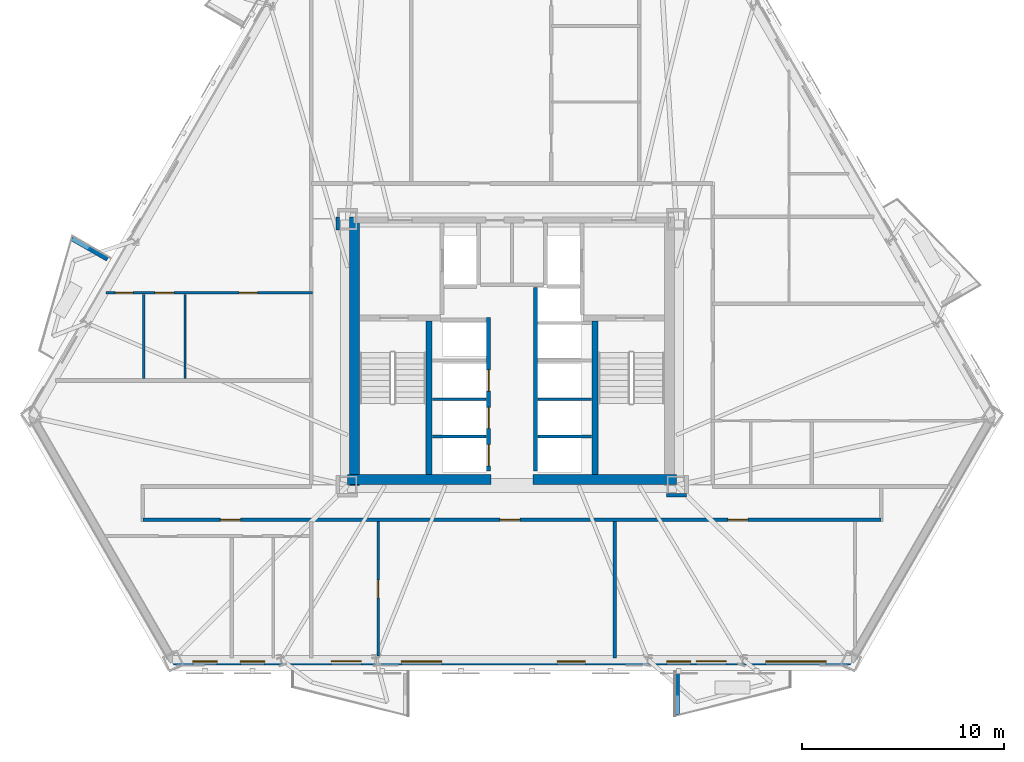
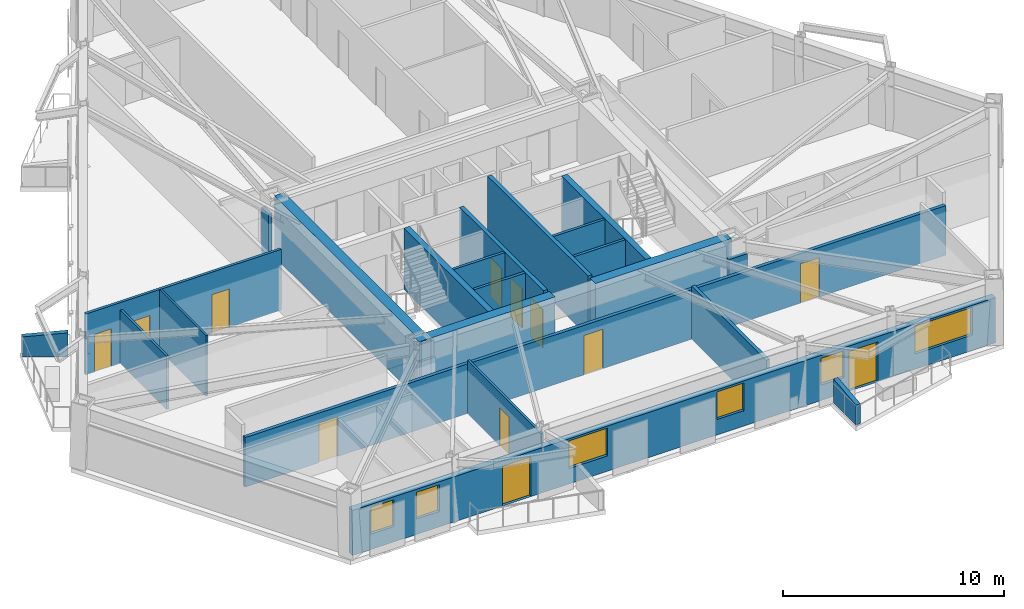
# One storey, part 3 of 10: 22 walls, 12 doors, 6 windows, 18 openings.
"""IFC4 building model written with IfcOpenShell, lengths in metres."""

from ifc_helpers import new_model, si_unit, direction, frame, frame_2d, origin, place, context, subcontext, project, spatial, polyline, rectangle, outline, extrude, material, layer, layer_set, type_object, element, fill, save


model = new_model("IFC4")

# Units and contexts
model_context = context("Model", 3, precision=1e-05, world=origin(), true_north=direction((0.0, 1.0)))
body_context = subcontext(model_context, "Body", "Model", "MODEL_VIEW")
ifc_project = project(units=[si_unit("LENGTHUNIT", "METRE"), si_unit("AREAUNIT", "SQUARE_METRE"), si_unit("VOLUMEUNIT", "CUBIC_METRE"), si_unit("PLANEANGLEUNIT", "RADIAN"), si_unit("MASSUNIT", "GRAM", prefix="KILO")], contexts=[model_context])

# Site, building, storey
site_placement = place(None, origin())
site = spatial("IfcSite", under=ifc_project, at=site_placement, CompositionType="ELEMENT")
building_placement = place(site_placement, origin())
building = spatial("IfcBuilding", under=site, at=building_placement, Name="Oramaril Tower", CompositionType="ELEMENT")
storey_placement = place(building_placement, frame((0.0, 0.0, 59.699951171875)))
storey = spatial("IfcBuildingStorey", under=building, at=storey_placement, Name="L15", CompositionType="ELEMENT", Elevation=59.699951171875)

# Wall, openings, doors, windows
ifc_material_1 = material(Name="Warm Cream Limestone", Category="masonry")
ifc_layer_1 = layer(ifc_material_1, 0.340087890625)
ifc_layer_set_1 = layer_set([ifc_layer_1], Name="WT-EXT34")
wall_type_1 = type_object("IfcWallType", Name="WT-EXT34", PredefinedType="SOLIDWALL", material=ifc_layer_set_1)
wall_1_placement = place(storey_placement, frame((20.70751953125, 2.273681640625, 0.0), z_axis=(0.0, 0.0, 1.0), x_axis=(1.0, 0.0, 0.0)))
wall_1 = element("IfcWall", 1, at=wall_1_placement, inside=storey, type_object=wall_type_1, Name="L15 Tower Limestone Facade Wall 2M", PredefinedType="SOLIDWALL", context=body_context, shape_type="SweptSolid", body=[
    extrude(rectangle(XDim=33.5849609375, YDim=0.340087890625, at=frame_2d((16.79248046875, 0.0))), origin(), (0.0, 0.0, 1.0), 2.494140625),
])
opening_1_placement = place(wall_1_placement, frame((7.824462890625, 0.0, 0.0)))
opening_1 = element("IfcOpeningElement", 2, at=opening_1_placement, cuts=wall_1, Name="Opening D-L15-BAL-S1", PredefinedType="OPENING", context=body_context, shape_type="SweptSolid", body=[
    extrude(rectangle(XDim=1.5, YDim=2.199951171875, at=frame_2d((0.75, 1.10009765625))), frame((0.0, 0.169921875, 0.0), z_axis=(0.0, -1.0, 0.0), x_axis=(1.0, 0.0, 0.0)), (0.0, 0.0, 1.0), 0.340087890625),
])
opening_2_placement = place(wall_1_placement, frame((25.92529296875, 0.0, 0.0)))
opening_2 = element("IfcOpeningElement", 3, at=opening_2_placement, cuts=wall_1, Name="Opening D-L15-BAL-S2", PredefinedType="OPENING", context=body_context, shape_type="SweptSolid", body=[
    extrude(rectangle(XDim=1.5, YDim=2.199951171875, at=frame_2d((0.75, 1.10009765625))), frame((0.0, 0.169921875, 0.0), z_axis=(0.0, -1.0, 0.0), x_axis=(1.0, 0.0, 0.0)), (0.0, 0.0, 1.0), 0.340087890625),
])
opening_3_placement = place(wall_1_placement, frame((11.31201171875, 0.0, 0.85009765625)))
opening_3 = element("IfcOpeningElement", 4, at=opening_3_placement, cuts=wall_1, Name="Opening WN-05", PredefinedType="OPENING", context=body_context, shape_type="SweptSolid", body=[
    extrude(rectangle(XDim=2.0, YDim=1.533935546875, at=frame_2d((1.0, 0.76708984375))), frame((0.0, 0.169921875, 0.0), z_axis=(0.0, -1.0, 0.0), x_axis=(1.0, 0.0, 0.0)), (0.0, 0.0, 1.0), 0.340087890625),
])
opening_4_placement = place(wall_1_placement, frame((19.03369140625, 0.0, 0.85009765625)))
opening_4 = element("IfcOpeningElement", 5, at=opening_4_placement, cuts=wall_1, Name="Opening WN-08", PredefinedType="OPENING", context=body_context, shape_type="SweptSolid", body=[
    extrude(rectangle(XDim=1.39990234375, YDim=1.533935546875, at=frame_2d((0.699951171875, 0.76708984375))), frame((0.0, 0.169921875, 0.0), z_axis=(0.0, -1.0, 0.0), x_axis=(1.0, 0.0, 0.0)), (0.0, 0.0, 1.0), 0.340087890625),
])
opening_5_placement = place(wall_1_placement, frame((24.4580078125, 0.0, 0.85009765625)))
opening_5 = element("IfcOpeningElement", 6, at=opening_5_placement, cuts=wall_1, Name="Opening WN-09", PredefinedType="OPENING", context=body_context, shape_type="SweptSolid", body=[
    extrude(rectangle(XDim=1.199951171875, YDim=1.47998046875, at=frame_2d((0.60009765625, 0.739990234375))), frame((0.0, 0.169921875, 0.0), z_axis=(0.0, -1.0, 0.0), x_axis=(1.0, 0.0, 0.0)), (0.0, 0.0, 1.0), 0.340087890625),
])
opening_6_placement = place(wall_1_placement, frame((29.360595703125, 0.0, 0.85009765625)))
opening_6 = element("IfcOpeningElement", 7, at=opening_6_placement, cuts=wall_1, Name="Opening WN-10", PredefinedType="OPENING", context=body_context, shape_type="SweptSolid", body=[
    extrude(rectangle(XDim=3.0, YDim=1.533935546875, at=frame_2d((1.5, 0.76708984375))), frame((0.0, 0.169921875, 0.0), z_axis=(0.0, -1.0, 0.0), x_axis=(1.0, 0.0, 0.0)), (0.0, 0.0, 1.0), 0.340087890625),
])
opening_7_placement = place(wall_1_placement, frame((0.970947265625, 0.0, 0.85009765625)))
opening_7 = element("IfcOpeningElement", 8, at=opening_7_placement, cuts=wall_1, Name="Opening WN-09", PredefinedType="OPENING", context=body_context, shape_type="SweptSolid", body=[
    extrude(rectangle(XDim=1.199951171875, YDim=1.47998046875, at=frame_2d((0.60009765625, 0.739990234375))), frame((0.0, 0.169921875, 0.0), z_axis=(0.0, -1.0, 0.0), x_axis=(1.0, 0.0, 0.0)), (0.0, 0.0, 1.0), 0.340087890625),
])
opening_8_placement = place(wall_1_placement, frame((3.327392578125, 0.0, 0.85009765625)))
opening_8 = element("IfcOpeningElement", 9, at=opening_8_placement, cuts=wall_1, Name="Opening WN-09", PredefinedType="OPENING", context=body_context, shape_type="SweptSolid", body=[
    extrude(rectangle(XDim=1.199951171875, YDim=1.47998046875, at=frame_2d((0.60009765625, 0.739990234375))), frame((0.0, 0.169921875, 0.0), z_axis=(0.0, -1.0, 0.0), x_axis=(1.0, 0.0, 0.0)), (0.0, 0.0, 1.0), 0.340087890625),
])
ifc_material_2 = material(Name="Anodised Aluminium 6063-T6", Category="aluminium")
door_type_1 = type_object("IfcDoorType", Name="DT-BAL", OperationType="NOTDEFINED", PredefinedType="DOOR", material=ifc_material_2)
door_1_placement = place(opening_1_placement, origin())
door_1 = element("IfcDoor", 10, at=door_1_placement, inside=storey, type_object=door_type_1, Name="L15 Balcony Glazed Door L15-BAL-S1", OperationType="SINGLE_SWING_RIGHT", OverallHeight=2.199951171875, OverallWidth=1.5, PredefinedType="DOOR", context=body_context, shape_type="SweptSolid", body=[
    extrude(rectangle(XDim=1.5, YDim=2.199951171875, at=frame_2d((0.75, 1.10009765625))), frame((0.0, 0.02490234375, 0.0), z_axis=(0.0, -1.0, 0.0), x_axis=(1.0, 0.0, 0.0)), (0.0, 0.0, 1.0), 0.050048828125),
])
fill(opening_1, door_1)
door_2_placement = place(opening_2_placement, origin())
door_2 = element("IfcDoor", 11, at=door_2_placement, inside=storey, type_object=door_type_1, Name="L15 Balcony Glazed Door L15-BAL-S2", OperationType="SINGLE_SWING_LEFT", OverallHeight=2.199951171875, OverallWidth=1.5, PredefinedType="DOOR", context=body_context, shape_type="SweptSolid", body=[
    extrude(rectangle(XDim=1.5, YDim=2.199951171875, at=frame_2d((0.75, 1.10009765625))), frame((0.0, 0.02490234375, 0.0), z_axis=(0.0, -1.0, 0.0), x_axis=(1.0, 0.0, 0.0)), (0.0, 0.0, 1.0), 0.050048828125),
])
fill(opening_2, door_2)
ifc_material_3 = material(Name="Coastal Low-E Insulated Glass", Category="glass")
window_type_1 = type_object("IfcWindowType", Name="WNT-05", PartitioningType="SINGLE_PANEL", PredefinedType="WINDOW", material=ifc_material_3)
window_1_placement = place(opening_3_placement, origin())
window_1 = element("IfcWindow", 12, at=window_1_placement, inside=storey, type_object=window_type_1, Name="L15 Chicago Bay Window WN-05", OverallHeight=1.533935546875, OverallWidth=2.0, PartitioningType="SINGLE_PANEL", PredefinedType="WINDOW", context=body_context, shape_type="SweptSolid", body=[
    extrude(rectangle(XDim=2.0, YDim=1.533935546875, at=frame_2d((1.0, 0.76708984375))), frame((0.0, 0.030029296875, 0.0), z_axis=(0.0, -1.0, 0.0), x_axis=(1.0, 0.0, 0.0)), (0.0, 0.0, 1.0), 0.06005859375),
])
fill(opening_3, window_1)
ifc_material_4 = material(Name="Coastal Low-E Insulated Glass", Category="glass")
window_type_2 = type_object("IfcWindowType", Name="WNT-08", PartitioningType="SINGLE_PANEL", PredefinedType="WINDOW", material=ifc_material_4)
window_2_placement = place(opening_4_placement, origin())
window_2 = element("IfcWindow", 13, at=window_2_placement, inside=storey, type_object=window_type_2, Name="L15 Chicago Bay Window WN-08", OverallHeight=1.533935546875, OverallWidth=1.39990234375, PartitioningType="SINGLE_PANEL", PredefinedType="WINDOW", context=body_context, shape_type="SweptSolid", body=[
    extrude(rectangle(XDim=1.39990234375, YDim=1.533935546875, at=frame_2d((0.699951171875, 0.76708984375))), frame((0.0, 0.030029296875, 0.0), z_axis=(0.0, -1.0, 0.0), x_axis=(1.0, 0.0, 0.0)), (0.0, 0.0, 1.0), 0.06005859375),
])
fill(opening_4, window_2)
ifc_material_5 = material(Name="Coastal Low-E Insulated Glass", Category="glass")
window_type_3 = type_object("IfcWindowType", Name="WNT-09", PartitioningType="SINGLE_PANEL", PredefinedType="WINDOW", material=ifc_material_5)
window_3_placement = place(opening_5_placement, origin())
window_3 = element("IfcWindow", 14, at=window_3_placement, inside=storey, type_object=window_type_3, Name="L15 Chicago Bay Window WN-09", OverallHeight=1.47998046875, OverallWidth=1.199951171875, PartitioningType="SINGLE_PANEL", PredefinedType="WINDOW", context=body_context, shape_type="SweptSolid", body=[
    extrude(rectangle(XDim=1.199951171875, YDim=1.47998046875, at=frame_2d((0.60009765625, 0.739990234375))), frame((0.0, 0.030029296875, 0.0), z_axis=(0.0, -1.0, 0.0), x_axis=(1.0, 0.0, 0.0)), (0.0, 0.0, 1.0), 0.06005859375),
])
fill(opening_5, window_3)
window_4_placement = place(opening_7_placement, origin())
window_4 = element("IfcWindow", 15, at=window_4_placement, inside=storey, type_object=window_type_3, Name="L15 Chicago Bay Window WN-09", OverallHeight=1.47998046875, OverallWidth=1.199951171875, PartitioningType="SINGLE_PANEL", PredefinedType="WINDOW", context=body_context, shape_type="SweptSolid", body=[
    extrude(rectangle(XDim=1.199951171875, YDim=1.47998046875, at=frame_2d((0.60009765625, 0.739990234375))), frame((0.0, 0.030029296875, 0.0), z_axis=(0.0, -1.0, 0.0), x_axis=(1.0, 0.0, 0.0)), (0.0, 0.0, 1.0), 0.06005859375),
])
fill(opening_7, window_4)
window_5_placement = place(opening_8_placement, origin())
window_5 = element("IfcWindow", 16, at=window_5_placement, inside=storey, type_object=window_type_3, Name="L15 Chicago Bay Window WN-09", OverallHeight=1.47998046875, OverallWidth=1.199951171875, PartitioningType="SINGLE_PANEL", PredefinedType="WINDOW", context=body_context, shape_type="SweptSolid", body=[
    extrude(rectangle(XDim=1.199951171875, YDim=1.47998046875, at=frame_2d((0.60009765625, 0.739990234375))), frame((0.0, 0.030029296875, 0.0), z_axis=(0.0, -1.0, 0.0), x_axis=(1.0, 0.0, 0.0)), (0.0, 0.0, 1.0), 0.06005859375),
])
fill(opening_8, window_5)
ifc_material_6 = material(Name="Coastal Low-E Insulated Glass", Category="glass")
window_type_4 = type_object("IfcWindowType", Name="WNT-10", PartitioningType="SINGLE_PANEL", PredefinedType="WINDOW", material=ifc_material_6)
window_6_placement = place(opening_6_placement, origin())
window_6 = element("IfcWindow", 17, at=window_6_placement, inside=storey, type_object=window_type_4, Name="L15 Chicago Bay Window WN-10", OverallHeight=1.533935546875, OverallWidth=3.0, PartitioningType="SINGLE_PANEL", PredefinedType="WINDOW", context=body_context, shape_type="SweptSolid", body=[
    extrude(rectangle(XDim=3.0, YDim=1.533935546875, at=frame_2d((1.5, 0.76708984375))), frame((0.0, 0.030029296875, 0.0), z_axis=(0.0, -1.0, 0.0), x_axis=(1.0, 0.0, 0.0)), (0.0, 0.0, 1.0), 0.06005859375),
])
fill(opening_6, window_6)

# Walls
ifc_material_7 = material(Name="Concrete C40/50", Category="concrete")
ifc_layer_2 = layer(ifc_material_7, 0.22998046875)
ifc_layer_set_2 = layer_set([ifc_layer_2], Name="WT-PRP23")
wall_type_2 = type_object("IfcWallType", Name="WT-PRP23", PredefinedType="PARAPET", material=ifc_layer_set_2)
for number, where, z_axis, x_axis, name in (
    (18, (45.68798828125, 1.67578125, 0.0), (0.0, 0.0, 1.0), (0.0, -1.0, 0.0), "L15 Trapezoidal Balcony Frame Cheek L15-BAL-S2-L"),
    (19, (17.4501953125, 22.220947265625, 0.0), (0.0, 0.0, 1.0), (-0.866042246008, 0.499970827278, 0.0), "L15 Trapezoidal Balcony Frame Cheek L15-BAL-NW2-L"),
):
    element("IfcWall", number, at=place(storey_placement, frame(where, z_axis=z_axis, x_axis=x_axis)), inside=storey, type_object=wall_type_2, Name=name, PredefinedType="PARAPET", context=body_context, shape_type="SweptSolid", body=[
        extrude(outline(polyline([(0.0, 0.0), (2.0419921875, 0.0), (2.0419921875, 1.10009765625), (0.0, 1.320068359375), (0.0, 0.0)])), frame((0.0, 0.114990234375, 0.0), z_axis=(0.0, -1.0, 0.0), x_axis=(1.0, 0.0, 0.0)), (0.0, 0.0, 1.0), 0.22998046875),
    ])
ifc_material_8 = material(Name="Acoustic Gypsum Board Partition")
ifc_layer_3 = layer(ifc_material_8, 0.10009765625)
ifc_layer_set_3 = layer_set([ifc_layer_3], Name="WT-PT10")
wall_type_3 = type_object("IfcWallType", Name="WT-PT10", PredefinedType="PARTITIONING", material=ifc_layer_set_3)
wall_2_placement = place(storey_placement, frame((21.2900390625, 16.2939453125, 0.0), z_axis=(0.0, 0.0, 1.0), x_axis=(0.0, 1.0, 0.0)))
element("IfcWall", 20, at=wall_2_placement, inside=storey, type_object=wall_type_3, Name="L15 Interior Partition PT-10", PredefinedType="PARTITIONING", context=body_context, shape_type="SweptSolid", body=[
    extrude(rectangle(XDim=4.18212890625, YDim=0.10009765625, at=frame_2d((2.091064453125, 0.0))), origin(), (0.0, 0.0, 1.0), 3.360107421875),
])
ifc_material_9 = material(Name="Acoustic Gypsum Board Partition")
ifc_layer_4 = layer(ifc_material_9, 0.1201171875)
ifc_layer_set_4 = layer_set([ifc_layer_4], Name="WT-PT12")
wall_type_4 = type_object("IfcWallType", Name="WT-PT12", PredefinedType="PARTITIONING", material=ifc_layer_set_4)
wall_3_placement = place(storey_placement, frame((19.239990234375, 16.2939453125, 0.0), z_axis=(0.0, 0.0, 1.0), x_axis=(0.0, 1.0, 0.0)))
element("IfcWall", 21, at=wall_3_placement, inside=storey, type_object=wall_type_4, Name="L15 Interior Partition PT-12", PredefinedType="PARTITIONING", context=body_context, shape_type="SweptSolid", body=[
    extrude(rectangle(XDim=4.18212890625, YDim=0.1201171875, at=frame_2d((2.091064453125, 0.0))), origin(), (0.0, 0.0, 1.0), 2.946044921875),
])

# Wall, opening, door
wall_4_placement = place(storey_placement, frame((30.860107421875, 2.54248046875, 0.0), z_axis=(0.0, 0.0, 1.0), x_axis=(0.0, 1.0, 0.0)))
wall_4 = element("IfcWall", 22, at=wall_4_placement, inside=storey, type_object=wall_type_4, Name="L15 Interior Partition PT-12", PredefinedType="PARTITIONING", context=body_context, shape_type="SweptSolid", body=[
    extrude(rectangle(XDim=6.66357421875, YDim=0.1201171875, at=frame_2d((3.331787109375, 0.0))), origin(), (0.0, 0.0, 1.0), 2.946044921875),
])
opening_9_placement = place(wall_4_placement, frame((2.87939453125, 0.0, 0.0)))
opening_9 = element("IfcOpeningElement", 23, at=opening_9_placement, cuts=wall_4, Name="Opening D-L15-18", PredefinedType="OPENING", context=body_context, shape_type="SweptSolid", body=[
    extrude(rectangle(XDim=0.8798828125, YDim=2.080078125, at=frame_2d((0.43994140625, 1.0400390625))), frame((0.0, 0.06005859375, 0.0), z_axis=(0.0, -1.0, 0.0), x_axis=(1.0, 0.0, 0.0)), (0.0, 0.0, 1.0), 0.1201171875),
])
ifc_material_10 = material(Name="FSC Brazilian Freijo Hardwood", Category="wood")
door_type_2 = type_object("IfcDoorType", Name="DT-BATH", OperationType="NOTDEFINED", PredefinedType="DOOR", material=ifc_material_10)
door_3_placement = place(opening_9_placement, origin())
door_3 = element("IfcDoor", 24, at=door_3_placement, inside=storey, type_object=door_type_2, Name="L15 Flat L15-U1 Bathroom Door D-L15-18", OperationType="SINGLE_SWING_LEFT", OverallHeight=2.080078125, OverallWidth=0.8798828125, PredefinedType="DOOR", context=body_context, shape_type="SweptSolid", body=[
    extrude(rectangle(XDim=0.8798828125, YDim=2.080078125, at=frame_2d((0.43994140625, 1.0400390625))), frame((0.0, 0.02490234375, 0.0), z_axis=(0.0, -1.0, 0.0), x_axis=(1.0, 0.0, 0.0)), (0.0, 0.0, 1.0), 0.050048828125),
])
fill(opening_9, door_3)

# Walls
ifc_material_11 = material(Name="Acoustic Gypsum Board Partition")
ifc_layer_5 = layer(ifc_material_11, 0.139892578125)
ifc_layer_set_5 = layer_set([ifc_layer_5], Name="WT-PT14")
wall_type_5 = type_object("IfcWallType", Name="WT-PT14", PredefinedType="PARTITIONING", material=ifc_layer_set_5)
for number, where, z_axis, x_axis, name in (
    (25, (33.56005859375, 13.419921875, 0.0), (0.0, 0.0, 1.0), (1.0, 0.0, 0.0), "L15 West Lift Divider"),
    (26, (33.56005859375, 15.27001953125, 0.0), (0.0, 0.0, 1.0), (1.0, 0.0, 0.0), "L15 West Lift Divider"),
    (27, (38.780029296875, 13.419921875, 0.0), (0.0, 0.0, 1.0), (1.0, 0.0, 0.0), "L15 East Lift Divider"),
    (28, (38.780029296875, 15.27001953125, 0.0), (0.0, 0.0, 1.0), (1.0, 0.0, 0.0), "L15 East Lift Divider"),
):
    element("IfcWall", number, at=place(storey_placement, frame(where, z_axis=z_axis, x_axis=x_axis)), inside=storey, type_object=wall_type_5, Name=name, PredefinedType="PARTITIONING", context=body_context, shape_type="SweptSolid", body=[
        extrude(rectangle(XDim=2.659912109375, YDim=0.139892578125, at=frame_2d((1.330078125, 0.0))), origin(), (0.0, 0.0, 1.0), 3.360107421875),
    ])

# Wall, openings, doors
wall_5_placement = place(storey_placement, frame((17.376708984375, 20.550048828125, 0.0), z_axis=(0.0, 0.0, 1.0), x_axis=(1.0, 0.0, 0.0)))
wall_5 = element("IfcWall", 29, at=wall_5_placement, inside=storey, type_object=wall_type_5, Name="L15 Interior Partition PT-14", PredefinedType="PARTITIONING", context=body_context, shape_type="SweptSolid", body=[
    extrude(rectangle(XDim=10.223388671875, YDim=0.139892578125, at=frame_2d((5.11181640625, 0.0))), origin(), (0.0, 0.0, 1.0), 3.360107421875),
])
opening_10_placement = place(wall_5_placement, frame((0.46240234375, 0.0, 0.0)))
opening_10 = element("IfcOpeningElement", 30, at=opening_10_placement, cuts=wall_5, Name="Opening D-L15-10", PredefinedType="OPENING", context=body_context, shape_type="SweptSolid", body=[
    extrude(rectangle(XDim=0.8798828125, YDim=2.080078125, at=frame_2d((0.43994140625, 1.0400390625))), frame((0.0, 0.06982421875, 0.0), z_axis=(0.0, -1.0, 0.0), x_axis=(1.0, 0.0, 0.0)), (0.0, 0.0, 1.0), 0.139892578125),
])
opening_11_placement = place(wall_5_placement, frame((2.412353515625, 0.0, 0.0)))
opening_11 = element("IfcOpeningElement", 31, at=opening_11_placement, cuts=wall_5, Name="Opening D-L15-11", PredefinedType="OPENING", context=body_context, shape_type="SweptSolid", body=[
    extrude(rectangle(XDim=0.949951171875, YDim=2.10009765625, at=frame_2d((0.47509765625, 1.050048828125))), frame((0.0, 0.06982421875, 0.0), z_axis=(0.0, -1.0, 0.0), x_axis=(1.0, 0.0, 0.0)), (0.0, 0.0, 1.0), 0.139892578125),
])
opening_12_placement = place(wall_5_placement, frame((6.597900390625, 0.0, 0.0)))
opening_12 = element("IfcOpeningElement", 32, at=opening_12_placement, cuts=wall_5, Name="Opening D-L15-12", PredefinedType="OPENING", context=body_context, shape_type="SweptSolid", body=[
    extrude(rectangle(XDim=0.919921875, YDim=2.1201171875, at=frame_2d((0.4599609375, 1.06005859375))), frame((0.0, 0.06982421875, 0.0), z_axis=(0.0, -1.0, 0.0), x_axis=(1.0, 0.0, 0.0)), (0.0, 0.0, 1.0), 0.139892578125),
])
door_4_placement = place(opening_10_placement, origin())
door_4 = element("IfcDoor", 33, at=door_4_placement, inside=storey, type_object=door_type_2, Name="L15 Flat L15-U4 Bathroom Door D-L15-10", OperationType="SINGLE_SWING_LEFT", OverallHeight=2.080078125, OverallWidth=0.8798828125, PredefinedType="DOOR", context=body_context, shape_type="SweptSolid", body=[
    extrude(rectangle(XDim=0.8798828125, YDim=2.080078125, at=frame_2d((0.43994140625, 1.0400390625))), frame((0.0, 0.02490234375, 0.0), z_axis=(0.0, -1.0, 0.0), x_axis=(1.0, 0.0, 0.0)), (0.0, 0.0, 1.0), 0.050048828125),
])
fill(opening_10, door_4)
ifc_material_12 = material(Name="FSC Brazilian Freijo Hardwood", Category="wood")
door_type_3 = type_object("IfcDoorType", Name="DT-BED", OperationType="NOTDEFINED", PredefinedType="DOOR", material=ifc_material_12)
door_5_placement = place(opening_12_placement, origin())
door_5 = element("IfcDoor", 34, at=door_5_placement, inside=storey, type_object=door_type_3, Name="L15 Flat L15-U4 Master Bedroom Door D-L15-12", OperationType="SINGLE_SWING_LEFT", OverallHeight=2.1201171875, OverallWidth=0.919921875, PredefinedType="DOOR", context=body_context, shape_type="SweptSolid", body=[
    extrude(rectangle(XDim=0.919921875, YDim=2.1201171875, at=frame_2d((0.4599609375, 1.06005859375))), frame((0.0, 0.02490234375, 0.0), z_axis=(0.0, -1.0, 0.0), x_axis=(1.0, 0.0, 0.0)), (0.0, 0.0, 1.0), 0.050048828125),
])
fill(opening_12, door_5)
ifc_material_13 = material(Name="FSC Brazilian Freijo Hardwood", Category="wood")
door_type_4 = type_object("IfcDoorType", Name="DT-STDY", OperationType="NOTDEFINED", PredefinedType="DOOR", material=ifc_material_13)
door_6_placement = place(opening_11_placement, origin())
door_6 = element("IfcDoor", 35, at=door_6_placement, inside=storey, type_object=door_type_4, Name="L15 Flat L15-U4 Kitchen Door D-L15-11", OperationType="SINGLE_SWING_RIGHT", OverallHeight=2.10009765625, OverallWidth=0.949951171875, PredefinedType="DOOR", context=body_context, shape_type="SweptSolid", body=[
    extrude(rectangle(XDim=0.949951171875, YDim=2.10009765625, at=frame_2d((0.47509765625, 1.050048828125))), frame((0.0, 0.02490234375, 0.0), z_axis=(0.0, -1.0, 0.0), x_axis=(1.0, 0.0, 0.0)), (0.0, 0.0, 1.0), 0.050048828125),
])
fill(opening_11, door_6)

ifc_material_14 = material(Name="Autoclaved Cellular Concrete Block", Category="concrete")
ifc_layer_6 = layer(ifc_material_14, 0.179931640625)
ifc_layer_set_6 = layer_set([ifc_layer_6], Name="WT-PT18")
wall_type_6 = type_object("IfcWallType", Name="WT-PT18", PredefinedType="PARTITIONING", material=ifc_layer_set_6)
wall_6_placement = place(storey_placement, frame((19.199951171875, 9.300048828125, 0.0), z_axis=(0.0, 0.0, 1.0), x_axis=(1.0, 0.0, 0.0)))
wall_6 = element("IfcWall", 36, at=wall_6_placement, inside=storey, type_object=wall_type_6, Name="L15 Interior Partition PT-18", PredefinedType="PARTITIONING", context=body_context, shape_type="SweptSolid", body=[
    extrude(rectangle(XDim=36.60009765625, YDim=0.179931640625, at=frame_2d((18.300048828125, 0.0))), origin(), (0.0, 0.0, 1.0), 2.738037109375),
])
opening_13_placement = place(wall_6_placement, frame((3.84423828125, 0.0, 0.0)))
opening_13 = element("IfcOpeningElement", 37, at=opening_13_placement, cuts=wall_6, Name="Opening D-L15-04", PredefinedType="OPENING", context=body_context, shape_type="SweptSolid", body=[
    extrude(rectangle(XDim=1.0, YDim=2.179931640625, at=frame_2d((0.5, 1.08984375))), frame((0.0, 0.08984375, 0.0), z_axis=(0.0, -1.0, 0.0), x_axis=(1.0, 0.0, 0.0)), (0.0, 0.0, 1.0), 0.179931640625),
])
opening_14_placement = place(wall_6_placement, frame((17.69873046875, 0.0, 0.0)))
opening_14 = element("IfcOpeningElement", 38, at=opening_14_placement, cuts=wall_6, Name="Opening D-L15-05", PredefinedType="OPENING", context=body_context, shape_type="SweptSolid", body=[
    extrude(rectangle(XDim=1.0, YDim=2.179931640625, at=frame_2d((0.5, 1.08984375))), frame((0.0, 0.08984375, 0.0), z_axis=(0.0, -1.0, 0.0), x_axis=(1.0, 0.0, 0.0)), (0.0, 0.0, 1.0), 0.179931640625),
])
opening_15_placement = place(wall_6_placement, frame((28.998779296875, 0.0, 0.0)))
opening_15 = element("IfcOpeningElement", 39, at=opening_15_placement, cuts=wall_6, Name="Opening D-L15-06", PredefinedType="OPENING", context=body_context, shape_type="SweptSolid", body=[
    extrude(rectangle(XDim=1.0, YDim=2.179931640625, at=frame_2d((0.5, 1.08984375))), frame((0.0, 0.08984375, 0.0), z_axis=(0.0, -1.0, 0.0), x_axis=(1.0, 0.0, 0.0)), (0.0, 0.0, 1.0), 0.179931640625),
])
ifc_material_15 = material(Name="FSC Brazilian Freijo Hardwood", Category="wood")
door_type_5 = type_object("IfcDoorType", Name="DT-APT", OperationType="NOTDEFINED", PredefinedType="DOOR", material=ifc_material_15)
door_7_placement = place(opening_13_placement, origin())
door_7 = element("IfcDoor", 40, at=door_7_placement, inside=storey, type_object=door_type_5, Name="L15 Flat L15-U3 Penthouse Living and Dining Room Door D-L15-04", OperationType="SINGLE_SWING_LEFT", OverallHeight=2.179931640625, OverallWidth=1.0, PredefinedType="DOOR", context=body_context, shape_type="SweptSolid", body=[
    extrude(rectangle(XDim=1.0, YDim=2.179931640625, at=frame_2d((0.5, 1.08984375))), frame((0.0, 0.02490234375, 0.0), z_axis=(0.0, -1.0, 0.0), x_axis=(1.0, 0.0, 0.0)), (0.0, 0.0, 1.0), 0.050048828125),
])
fill(opening_13, door_7)
door_8_placement = place(opening_14_placement, origin())
door_8 = element("IfcDoor", 41, at=door_8_placement, inside=storey, type_object=door_type_5, Name="L15 Flat L15-U1 Kitchen and Studio Apartment Door D-L15-05", OperationType="SINGLE_SWING_RIGHT", OverallHeight=2.179931640625, OverallWidth=1.0, PredefinedType="DOOR", context=body_context, shape_type="SweptSolid", body=[
    extrude(rectangle(XDim=1.0, YDim=2.179931640625, at=frame_2d((0.5, 1.08984375))), frame((0.0, 0.02490234375, 0.0), z_axis=(0.0, -1.0, 0.0), x_axis=(1.0, 0.0, 0.0)), (0.0, 0.0, 1.0), 0.050048828125),
])
fill(opening_14, door_8)
door_9_placement = place(opening_15_placement, origin())
door_9 = element("IfcDoor", 42, at=door_9_placement, inside=storey, type_object=door_type_5, Name="L15 Flat L15-U2 Kitchen and Studio Apartment Door D-L15-06", OperationType="SINGLE_SWING_LEFT", OverallHeight=2.179931640625, OverallWidth=1.0, PredefinedType="DOOR", context=body_context, shape_type="SweptSolid", body=[
    extrude(rectangle(XDim=1.0, YDim=2.179931640625, at=frame_2d((0.5, 1.08984375))), frame((0.0, 0.02490234375, 0.0), z_axis=(0.0, -1.0, 0.0), x_axis=(1.0, 0.0, 0.0)), (0.0, 0.0, 1.0), 0.050048828125),
])
fill(opening_15, door_9)

# Walls
wall_7_placement = place(storey_placement, frame((45.159912109375, 10.510009765625, 0.0), z_axis=(0.0, 0.0, 1.0), x_axis=(1.0, 0.0, 0.0)))
element("IfcWall", 43, at=wall_7_placement, inside=storey, type_object=wall_type_6, Name="L15 Interior Partition PT-18", PredefinedType="PARTITIONING", context=body_context, shape_type="SweptSolid", body=[
    extrude(rectangle(XDim=0.97998046875, YDim=0.179931640625, at=frame_2d((0.489990234375, 0.0))), origin(), (0.0, 0.0, 1.0), 2.738037109375),
])
wall_8_placement = place(storey_placement, frame((28.860107421875, 23.655029296875, 0.0), z_axis=(0.0, 0.0, 1.0), x_axis=(0.0, 1.0, 0.0)))
element("IfcWall", 44, at=wall_8_placement, inside=storey, type_object=wall_type_6, Name="L15 Interior Partition PT-18", PredefinedType="PARTITIONING", context=body_context, shape_type="SweptSolid", body=[
    extrude(rectangle(XDim=0.6650390625, YDim=0.179931640625, at=frame_2d((0.33251953125, 0.0))), origin(), (0.0, 0.0, 1.0), 2.946044921875),
])
wall_9_placement = place(storey_placement, frame((42.60009765625, 2.44775390625, 0.0), z_axis=(0.0, 0.0, 1.0), x_axis=(0.0, 1.0, 0.0)))
element("IfcWall", 45, at=wall_9_placement, inside=storey, type_object=wall_type_6, Name="L15 Interior Partition PT-18", PredefinedType="PARTITIONING", context=body_context, shape_type="SweptSolid", body=[
    extrude(rectangle(XDim=6.75830078125, YDim=0.179931640625, at=frame_2d((3.379150390625, 0.0))), origin(), (0.0, 0.0, 1.0), 2.946044921875),
])
ifc_material_16 = material(Name="Concrete C50/60", Category="concrete")
ifc_layer_7 = layer(ifc_material_16, 0.300048828125)
ifc_layer_set_7 = layer_set([ifc_layer_7], Name="WT-SH30")
wall_type_7 = type_object("IfcWallType", Name="WT-SH30", PredefinedType="SHEAR", material=ifc_layer_set_7)
for number, where, z_axis, x_axis, name in (
    (46, (33.3798828125, 11.5400390625, 0.0), (0.0, 0.0, 1.0), (0.0, 1.0, 0.0), "L15 Core Shear Wall CW-ST1E"),
    (47, (41.6201171875, 11.5400390625, 0.0), (0.0, 0.0, 1.0), (0.0, 1.0, 0.0), "L15 Core Shear Wall CW-ST2W"),
):
    element("IfcWall", number, at=place(storey_placement, frame(where, z_axis=z_axis, x_axis=x_axis)), inside=storey, type_object=wall_type_7, Name=name, PredefinedType="SHEAR", context=body_context, shape_type="SweptSolid", body=[
        extrude(rectangle(XDim=7.619873046875, YDim=0.300048828125, at=frame_2d((3.81005859375, 0.0))), origin(), (0.0, 0.0, 1.0), 3.360107421875),
    ])
ifc_material_17 = material(Name="Concrete C50/60", Category="concrete")
ifc_layer_8 = layer(ifc_material_17, 0.5)
ifc_layer_set_8 = layer_set([ifc_layer_8], Name="WT-SH50")
wall_type_8 = type_object("IfcWallType", Name="WT-SH50", PredefinedType="SHEAR", material=ifc_layer_set_8)
wall_10_placement = place(storey_placement, frame((29.68994140625, 11.0, 0.0), z_axis=(0.0, 0.0, 1.0), x_axis=(0.0, 1.0, 0.0)))
element("IfcWall", 48, at=wall_10_placement, inside=storey, type_object=wall_type_8, Name="L15 Core Shear Wall CW-W", PredefinedType="SHEAR", context=body_context, shape_type="SweptSolid", body=[
    extrude(rectangle(XDim=13.300048828125, YDim=0.5, at=frame_2d((6.64990234375, 0.0))), origin(), (0.0, 0.0, 1.0), 3.360107421875),
])
for number, where, z_axis, x_axis, name in (
    (49, (29.35009765625, 11.2900390625, 0.0), (0.0, 0.0, 1.0), (1.0, 0.0, 0.0), "L15 Core Shear Wall CW-SW"),
    (50, (38.550048828125, 11.2900390625, 0.0), (0.0, 0.0, 1.0), (1.0, 0.0, 0.0), "L15 Core Shear Wall CW-SE"),
):
    element("IfcWall", number, at=place(storey_placement, frame(where, z_axis=z_axis, x_axis=x_axis)), inside=storey, type_object=wall_type_8, Name=name, PredefinedType="SHEAR", context=body_context, shape_type="SweptSolid", body=[
        extrude(rectangle(XDim=7.099853515625, YDim=0.5, at=frame_2d((3.5498046875, 0.0))), origin(), (0.0, 0.0, 1.0), 3.360107421875),
    ])

# Wall, openings, doors
ifc_material_18 = material(Name="Autoclaved Cellular Concrete Block", Category="concrete")
ifc_layer_9 = layer(ifc_material_18, 0.199951171875)
ifc_layer_set_9 = layer_set([ifc_layer_9], Name="WT-SHF20")
wall_type_9 = type_object("IfcWallType", Name="WT-SHF20", PredefinedType="PARTITIONING", material=ifc_layer_set_9)
wall_11_placement = place(storey_placement, frame((36.340087890625, 11.719970703125, 0.0), z_axis=(0.0, 0.0, 1.0), x_axis=(0.0, 1.0, 0.0)))
wall_11 = element("IfcWall", 51, at=wall_11_placement, inside=storey, type_object=wall_type_9, Name="L15 West Lift Bank Front Wall", PredefinedType="PARTITIONING", context=body_context, shape_type="SweptSolid", body=[
    extrude(rectangle(XDim=7.60009765625, YDim=0.199951171875, at=frame_2d((3.800048828125, 0.0))), origin(), (0.0, 0.0, 1.0), 3.360107421875),
])
opening_16_placement = place(wall_11_placement, frame((0.2548828125, 0.0, 0.0)))
opening_16 = element("IfcOpeningElement", 52, at=opening_16_placement, cuts=wall_11, Name="Opening LD-L15-LP-L1", PredefinedType="OPENING", context=body_context, shape_type="SweptSolid", body=[
    extrude(rectangle(XDim=1.050048828125, YDim=2.14990234375, at=frame_2d((0.52490234375, 1.074951171875))), frame((0.0, 0.10009765625, 0.0), z_axis=(0.0, -1.0, 0.0), x_axis=(1.0, 0.0, 0.0)), (0.0, 0.0, 1.0), 0.199951171875),
])
opening_17_placement = place(wall_11_placement, frame((2.10498046875, 0.0, 0.0)))
opening_17 = element("IfcOpeningElement", 53, at=opening_17_placement, cuts=wall_11, Name="Opening LD-L15-LP-L2", PredefinedType="OPENING", context=body_context, shape_type="SweptSolid", body=[
    extrude(rectangle(XDim=1.050048828125, YDim=2.14990234375, at=frame_2d((0.52490234375, 1.074951171875))), frame((0.0, 0.10009765625, 0.0), z_axis=(0.0, -1.0, 0.0), x_axis=(1.0, 0.0, 0.0)), (0.0, 0.0, 1.0), 0.199951171875),
])
opening_18_placement = place(wall_11_placement, frame((3.955078125, 0.0, 0.0)))
opening_18 = element("IfcOpeningElement", 54, at=opening_18_placement, cuts=wall_11, Name="Opening LD-L15-LP-L3", PredefinedType="OPENING", context=body_context, shape_type="SweptSolid", body=[
    extrude(rectangle(XDim=1.050048828125, YDim=2.14990234375, at=frame_2d((0.52490234375, 1.074951171875))), frame((0.0, 0.10009765625, 0.0), z_axis=(0.0, -1.0, 0.0), x_axis=(1.0, 0.0, 0.0)), (0.0, 0.0, 1.0), 0.199951171875),
])
ifc_material_19 = material(Name="Stainless Steel 316L", Category="steel")
door_type_6 = type_object("IfcDoorType", Name="DT-LD2", OperationType="NOTDEFINED", PredefinedType="DOOR", material=ifc_material_19)
door_10_placement = place(opening_16_placement, origin())
door_10 = element("IfcDoor", 55, at=door_10_placement, inside=storey, type_object=door_type_6, Name="L15 Lift LP-L1 Sliding Landing Door", OperationType="SLIDING_TO_LEFT", OverallHeight=2.14990234375, OverallWidth=1.050048828125, PredefinedType="DOOR", context=body_context, shape_type="SweptSolid", body=[
    extrude(rectangle(XDim=1.050048828125, YDim=2.14990234375, at=frame_2d((0.52490234375, 1.074951171875))), frame((0.0, 0.02490234375, 0.0), z_axis=(0.0, -1.0, 0.0), x_axis=(1.0, 0.0, 0.0)), (0.0, 0.0, 1.0), 0.050048828125),
])
fill(opening_16, door_10)
door_11_placement = place(opening_17_placement, origin())
door_11 = element("IfcDoor", 56, at=door_11_placement, inside=storey, type_object=door_type_6, Name="L15 Lift LP-L2 Sliding Landing Door", OperationType="SLIDING_TO_RIGHT", OverallHeight=2.14990234375, OverallWidth=1.050048828125, PredefinedType="DOOR", context=body_context, shape_type="SweptSolid", body=[
    extrude(rectangle(XDim=1.050048828125, YDim=2.14990234375, at=frame_2d((0.52490234375, 1.074951171875))), frame((0.0, 0.02490234375, 0.0), z_axis=(0.0, -1.0, 0.0), x_axis=(1.0, 0.0, 0.0)), (0.0, 0.0, 1.0), 0.050048828125),
])
fill(opening_17, door_11)
door_12_placement = place(opening_18_placement, origin())
door_12 = element("IfcDoor", 57, at=door_12_placement, inside=storey, type_object=door_type_6, Name="L15 Lift LP-L3 Sliding Landing Door", OperationType="SLIDING_TO_LEFT", OverallHeight=2.14990234375, OverallWidth=1.050048828125, PredefinedType="DOOR", context=body_context, shape_type="SweptSolid", body=[
    extrude(rectangle(XDim=1.050048828125, YDim=2.14990234375, at=frame_2d((0.52490234375, 1.074951171875))), frame((0.0, 0.02490234375, 0.0), z_axis=(0.0, -1.0, 0.0), x_axis=(1.0, 0.0, 0.0)), (0.0, 0.0, 1.0), 0.050048828125),
])
fill(opening_18, door_12)

# Wall
wall_12_placement = place(storey_placement, frame((38.659912109375, 11.719970703125, 0.0), z_axis=(0.0, 0.0, 1.0), x_axis=(0.0, 1.0, 0.0)))
element("IfcWall", 58, at=wall_12_placement, inside=storey, type_object=wall_type_9, Name="L15 East Lift Bank Front Wall", PredefinedType="PARTITIONING", context=body_context, shape_type="SweptSolid", body=[
    extrude(rectangle(XDim=9.10009765625, YDim=0.199951171875, at=frame_2d((4.550048828125, 0.0))), origin(), (0.0, 0.0, 1.0), 3.360107421875),
])

save(model, "model.ifc")
